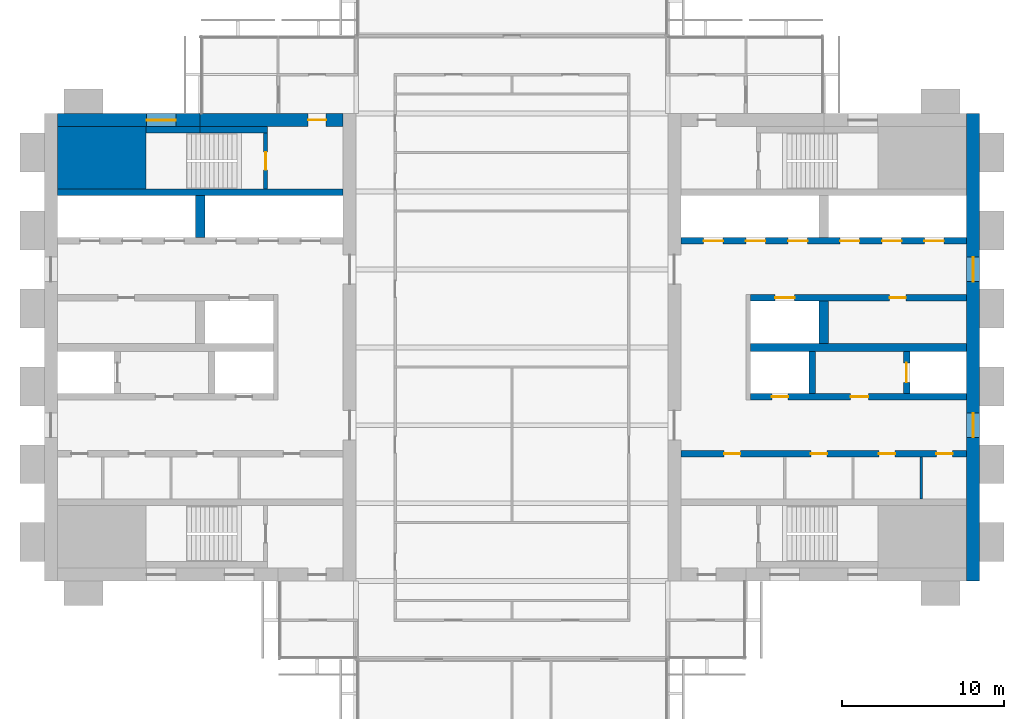
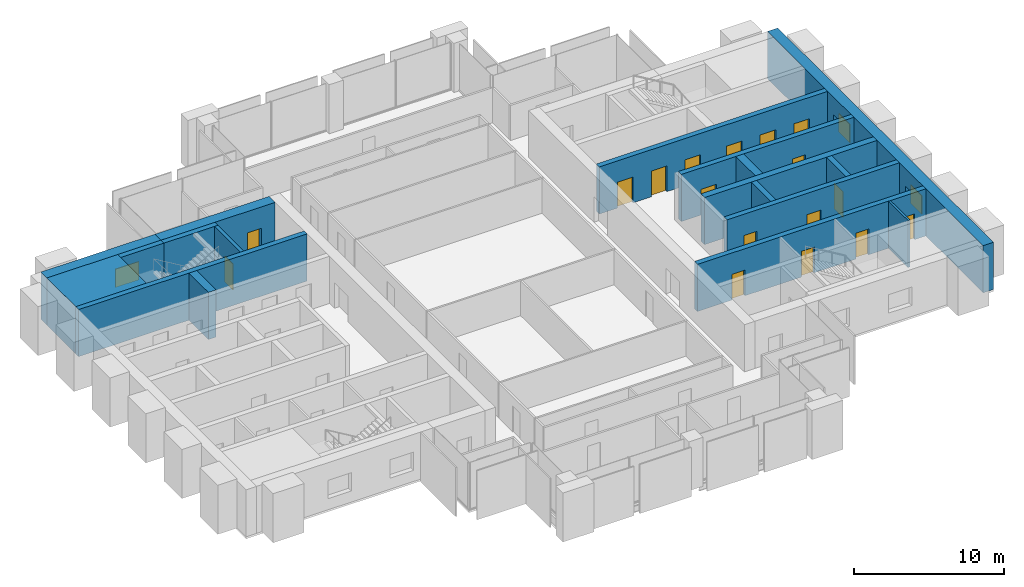
# One storey, part 10 of 13: 18 walls, 17 doors, 3 windows, 20 openings.
"""IFC4 building model written with IfcOpenShell, lengths in metres."""

from ifc_helpers import new_model, si_unit, direction, frame, frame_2d, origin, place, context, subcontext, project, spatial, rectangle, extrude, material, layer, layer_set, type_object, element, fill, save


model = new_model("IFC4")

# Units and contexts
model_context = context("Model", 3, precision=1e-05, world=origin(), true_north=direction((0.0, 1.0)))
body_context = subcontext(model_context, "Body", "Model", "MODEL_VIEW")
ifc_project = project(units=[si_unit("LENGTHUNIT", "METRE"), si_unit("AREAUNIT", "SQUARE_METRE"), si_unit("VOLUMEUNIT", "CUBIC_METRE"), si_unit("PLANEANGLEUNIT", "RADIAN"), si_unit("MASSUNIT", "GRAM", prefix="KILO")], contexts=[model_context])

# Site, building, storey
site_placement = place(None, origin())
site = spatial("IfcSite", under=ifc_project, at=site_placement, CompositionType="ELEMENT")
building_placement = place(site_placement, origin())
building = spatial("IfcBuilding", under=site, at=building_placement, Name="Baori Bourse Tower", CompositionType="ELEMENT")
storey_placement = place(building_placement, frame((0.0, 0.0, 241.199951171875)))
storey = spatial("IfcBuildingStorey", under=building, at=storey_placement, Name="L53", CompositionType="ELEMENT", Elevation=241.199951171875)

# Walls
ifc_material_1 = material(Name="Concrete f'c 50 MPa", Category="concrete")
wall_type_1 = type_object("IfcWallType", Name="Core corner block f'c 50", PredefinedType="SHEAR", material=ifc_material_1)
wall_1_placement = place(storey_placement, frame((0.800048828125, 35.675048828125, 0.0), z_axis=(0.0, 0.0, 1.0), x_axis=(1.0, 0.0, 0.0)))
element("IfcWall", 1, at=wall_1_placement, inside=storey, type_object=wall_type_1, Name="Core wall W23", PredefinedType="SHEAR", context=body_context, shape_type="SweptSolid", body=[
    extrude(rectangle(XDim=5.449951171875, YDim=3.85009765625, at=frame_2d((2.72509765625, 0.0))), origin(), (0.0, 0.0, 1.0), 3.840087890625),
])
ifc_material_2 = material(Name="Blockwork partition", Category="masonry")
ifc_layer_1 = layer(ifc_material_2, 0.14990234375)
ifc_layer_set_1 = layer_set([ifc_layer_1], Name="Core partition 150")
wall_type_2 = type_object("IfcWallType", Name="Core partition 150", PredefinedType="PARTITIONING", material=ifc_layer_set_1)
wall_2_placement = place(storey_placement, frame((54.0, 14.64990234375, 0.0), z_axis=(0.0, 0.0, 1.0), x_axis=(0.0, 1.0, 0.0)))
element("IfcWall", 2, at=wall_2_placement, inside=storey, type_object=wall_type_2, Name="Partition wall E09", PredefinedType="PARTITIONING", context=body_context, shape_type="SweptSolid", body=[
    extrude(rectangle(XDim=2.60009765625, YDim=0.14990234375, at=frame_2d((1.300048828125, 0.0))), origin(), (0.0, 0.0, 1.0), 3.840087890625),
])

# Wall, opening, window
ifc_material_3 = material(Name="Concrete f'c 50 MPa", Category="concrete")
ifc_layer_2 = layer(ifc_material_3, 0.800048828125)
ifc_layer_set_2 = layer_set([ifc_layer_2], Name="Core wall 800 f'c 50")
wall_type_3 = type_object("IfcWallType", Name="Core wall 800 f'c 50", PredefinedType="SHEAR", material=ifc_layer_set_2)
wall_3_placement = place(storey_placement, frame((0.800048828125, 38.0, 0.0), z_axis=(0.0, 0.0, 1.0), x_axis=(1.0, 0.0, 0.0)))
wall_3 = element("IfcWall", 3, at=wall_3_placement, inside=storey, type_object=wall_type_3, Name="Core wall W27", PredefinedType="SHEAR", context=body_context, shape_type="SweptSolid", body=[
    extrude(rectangle(XDim=8.800048828125, YDim=0.800048828125, at=frame_2d((4.39990234375, 0.0))), origin(), (0.0, 0.0, 1.0), 3.840087890625),
])
opening_1_placement = place(wall_3_placement, frame((5.5, 0.0, 0.89990234375)))
opening_1 = element("IfcOpeningElement", 4, at=opening_1_placement, cuts=wall_3, Name="Opening L53-KW105", PredefinedType="OPENING", context=body_context, shape_type="SweptSolid", body=[
    extrude(rectangle(XDim=1.800048828125, YDim=1.5, at=frame_2d((0.89990234375, 0.75))), frame((0.0, 0.409912109375, 0.0), z_axis=(0.0, -1.0, 0.0), x_axis=(1.0, 0.0, 0.0)), (0.0, 0.0, 1.0), 0.820068359375),
])
ifc_material_4 = material(Name="Pale anodised aluminium", Category="aluminium")
window_type_1 = type_object("IfcWindowType", Name="Stair window 1800 x 1500", PartitioningType="SINGLE_PANEL", PredefinedType="WINDOW", material=ifc_material_4)
window_1_placement = place(opening_1_placement, origin())
window_1 = element("IfcWindow", 5, at=window_1_placement, inside=storey, type_object=window_type_1, Name="Stair window W L53 5", OverallHeight=1.5, OverallWidth=1.800048828125, PartitioningType="SINGLE_PANEL", PredefinedType="WINDOW", context=body_context, shape_type="SweptSolid", body=[
    extrude(rectangle(XDim=1.800048828125, YDim=1.5, at=frame_2d((0.89990234375, 0.75))), frame((0.0, 0.030029296875, 0.0), z_axis=(0.0, -1.0, 0.0), x_axis=(1.0, 0.0, 0.0)), (0.0, 0.0, 1.0), 0.06005859375),
])
fill(opening_1, window_1)

# Wall, opening, door
wall_4_placement = place(storey_placement, frame((9.60009765625, 38.0, 0.0), z_axis=(0.0, 0.0, 1.0), x_axis=(1.0, 0.0, 0.0)))
wall_4 = element("IfcWall", 6, at=wall_4_placement, inside=storey, type_object=wall_type_3, Name="Core wall W28", PredefinedType="SHEAR", context=body_context, shape_type="SweptSolid", body=[
    extrude(rectangle(XDim=8.7998046875, YDim=0.800048828125, at=frame_2d((4.39990234375, 0.0))), origin(), (0.0, 0.0, 1.0), 3.840087890625),
])
opening_2_placement = place(wall_4_placement, frame((6.64990234375, 0.0, 0.0)))
opening_2 = element("IfcOpeningElement", 7, at=opening_2_placement, cuts=wall_4, Name="Opening L53-D104", PredefinedType="OPENING", context=body_context, shape_type="SweptSolid", body=[
    extrude(rectangle(XDim=1.10009765625, YDim=2.10009765625, at=frame_2d((0.550048828125, 1.050048828125))), frame((0.0, 0.409912109375, 0.0), z_axis=(0.0, -1.0, 0.0), x_axis=(1.0, 0.0, 0.0)), (0.0, 0.0, 1.0), 0.820068359375),
])
ifc_material_5 = material(Name="Painted steel door", Category="steel")
door_type_1 = type_object("IfcDoorType", Name="Stair door 1100", OperationType="SINGLE_SWING_LEFT", PredefinedType="DOOR", material=ifc_material_5)
door_1_placement = place(opening_2_placement, origin())
door_1 = element("IfcDoor", 8, at=door_1_placement, inside=storey, type_object=door_type_1, Name="Stair vestibule door B W L53", OperationType="SINGLE_SWING_LEFT", OverallHeight=2.10009765625, OverallWidth=1.10009765625, PredefinedType="DOOR", context=body_context, shape_type="SweptSolid", body=[
    extrude(rectangle(XDim=1.10009765625, YDim=2.10009765625, at=frame_2d((0.550048828125, 1.050048828125))), frame((0.0, 0.02490234375, 0.0), z_axis=(0.0, -1.0, 0.0), x_axis=(1.0, 0.0, 0.0)), (0.0, 0.0, 1.0), 0.050048828125),
])
fill(opening_2, door_1)

# Wall, openings, windows
wall_5_placement = place(storey_placement, frame((57.199951171875, 38.39990234375, 0.0), z_axis=(0.0, 0.0, 1.0), x_axis=(0.0, -1.0, 0.0)))
wall_5 = element("IfcWall", 9, at=wall_5_placement, inside=storey, type_object=wall_type_3, Name="Core wall E01", PredefinedType="SHEAR", context=body_context, shape_type="SweptSolid", body=[
    extrude(rectangle(XDim=28.7998046875, YDim=0.800048828125, at=frame_2d((14.39990234375, 0.0))), origin(), (0.0, 0.0, 1.0), 3.840087890625),
])
opening_3_placement = place(wall_5_placement, frame((18.449951171875, 0.0, 0.89990234375)))
opening_3 = element("IfcOpeningElement", 10, at=opening_3_placement, cuts=wall_5, Name="Opening L53-KW201", PredefinedType="OPENING", context=body_context, shape_type="SweptSolid", body=[
    extrude(rectangle(XDim=1.5, YDim=1.5, at=frame_2d((0.75, 0.75))), frame((0.0, 0.409912109375, 0.0), z_axis=(0.0, -1.0, 0.0), x_axis=(1.0, 0.0, 0.0)), (0.0, 0.0, 1.0), 0.820068359375),
])
opening_4_placement = place(wall_5_placement, frame((8.85009765625, 0.0, 0.89990234375)))
opening_4 = element("IfcOpeningElement", 11, at=opening_4_placement, cuts=wall_5, Name="Opening L53-KW202", PredefinedType="OPENING", context=body_context, shape_type="SweptSolid", body=[
    extrude(rectangle(XDim=1.5, YDim=1.5, at=frame_2d((0.75, 0.75))), frame((0.0, 0.409912109375, 0.0), z_axis=(0.0, -1.0, 0.0), x_axis=(1.0, 0.0, 0.0)), (0.0, 0.0, 1.0), 0.820068359375),
])
ifc_material_6 = material(Name="Pale anodised aluminium", Category="aluminium")
window_type_2 = type_object("IfcWindowType", Name="Lobby window 1500 x 1500", PartitioningType="SINGLE_PANEL", PredefinedType="WINDOW", material=ifc_material_6)
window_2_placement = place(opening_3_placement, origin())
window_2 = element("IfcWindow", 12, at=window_2_placement, inside=storey, type_object=window_type_2, Name="Outer wall window E L53 1", OverallHeight=1.5, OverallWidth=1.5, PartitioningType="SINGLE_PANEL", PredefinedType="WINDOW", context=body_context, shape_type="SweptSolid", body=[
    extrude(rectangle(XDim=1.5, YDim=1.5, at=frame_2d((0.75, 0.75))), frame((0.0, 0.030029296875, 0.0), z_axis=(0.0, -1.0, 0.0), x_axis=(1.0, 0.0, 0.0)), (0.0, 0.0, 1.0), 0.06005859375),
])
fill(opening_3, window_2)
window_3_placement = place(opening_4_placement, origin())
window_3 = element("IfcWindow", 13, at=window_3_placement, inside=storey, type_object=window_type_2, Name="Outer wall window E L53 2", OverallHeight=1.5, OverallWidth=1.5, PartitioningType="SINGLE_PANEL", PredefinedType="WINDOW", context=body_context, shape_type="SweptSolid", body=[
    extrude(rectangle(XDim=1.5, YDim=1.5, at=frame_2d((0.75, 0.75))), frame((0.0, 0.030029296875, 0.0), z_axis=(0.0, -1.0, 0.0), x_axis=(1.0, 0.0, 0.0)), (0.0, 0.0, 1.0), 0.06005859375),
])
fill(opening_4, window_3)

# Wall, opening, door
ifc_material_7 = material(Name="Concrete f'c 50 MPa", Category="concrete")
ifc_layer_3 = layer(ifc_material_7, 0.25)
ifc_layer_set_3 = layer_set([ifc_layer_3], Name="Shaft wall 250 f'c 50")
wall_type_4 = type_object("IfcWallType", Name="Shaft wall 250 f'c 50", PredefinedType="SHEAR", material=ifc_layer_set_3)
wall_6_placement = place(storey_placement, frame((13.625, 33.75, 0.0), z_axis=(0.0, 0.0, 1.0), x_axis=(0.0, 1.0, 0.0)))
wall_6 = element("IfcWall", 14, at=wall_6_placement, inside=storey, type_object=wall_type_4, Name="Core wall W24", PredefinedType="SHEAR", context=body_context, shape_type="SweptSolid", body=[
    extrude(rectangle(XDim=3.449951171875, YDim=0.25, at=frame_2d((1.72509765625, 0.0))), origin(), (0.0, 0.0, 1.0), 3.840087890625),
])
opening_5_placement = place(wall_6_placement, frame((1.175048828125, 0.0, 0.0)))
opening_5 = element("IfcOpeningElement", 15, at=opening_5_placement, cuts=wall_6, Name="Opening L53-D103", PredefinedType="OPENING", context=body_context, shape_type="SweptSolid", body=[
    extrude(rectangle(XDim=1.10009765625, YDim=2.10009765625, at=frame_2d((0.550048828125, 1.050048828125))), frame((0.0, 0.135009765625, 0.0), z_axis=(0.0, -1.0, 0.0), x_axis=(1.0, 0.0, 0.0)), (0.0, 0.0, 1.0), 0.27001953125),
])
door_2_placement = place(opening_5_placement, origin())
door_2 = element("IfcDoor", 16, at=door_2_placement, inside=storey, type_object=door_type_1, Name="Stair door B W L53", OperationType="SINGLE_SWING_LEFT", OverallHeight=2.10009765625, OverallWidth=1.10009765625, PredefinedType="DOOR", context=body_context, shape_type="SweptSolid", body=[
    extrude(rectangle(XDim=1.10009765625, YDim=2.10009765625, at=frame_2d((0.550048828125, 1.050048828125))), frame((0.0, 0.02490234375, 0.0), z_axis=(0.0, -1.0, 0.0), x_axis=(1.0, 0.0, 0.0)), (0.0, 0.0, 1.0), 0.050048828125),
])
fill(opening_5, door_2)

# Walls
ifc_material_8 = material(Name="Concrete f'c 50 MPa", Category="concrete")
ifc_layer_4 = layer(ifc_material_8, 0.39990234375)
ifc_layer_set_4 = layer_set([ifc_layer_4], Name="Shaft wall 400 f'c 50")
wall_type_5 = type_object("IfcWallType", Name="Shaft wall 400 f'c 50", PredefinedType="SHEAR", material=ifc_layer_set_4)
wall_7_placement = place(storey_placement, frame((0.800048828125, 33.550048828125, 0.0), z_axis=(0.0, 0.0, 1.0), x_axis=(1.0, 0.0, 0.0)))
element("IfcWall", 17, at=wall_7_placement, inside=storey, type_object=wall_type_5, Name="Core wall W22", PredefinedType="SHEAR", context=body_context, shape_type="SweptSolid", body=[
    extrude(rectangle(XDim=17.599853515625, YDim=0.39990234375, at=frame_2d((8.7998046875, 0.0))), origin(), (0.0, 0.0, 1.0), 3.840087890625),
])
wall_8_placement = place(storey_placement, frame((6.25, 37.39990234375, 0.0), z_axis=(0.0, 0.0, 1.0), x_axis=(1.0, 0.0, 0.0)))
element("IfcWall", 18, at=wall_8_placement, inside=storey, type_object=wall_type_5, Name="Core wall W25", PredefinedType="SHEAR", context=body_context, shape_type="SweptSolid", body=[
    extrude(rectangle(XDim=3.35009765625, YDim=0.39990234375, at=frame_2d((1.675048828125, 0.0))), origin(), (0.0, 0.0, 1.0), 3.840087890625),
])
wall_9_placement = place(storey_placement, frame((9.60009765625, 37.39990234375, 0.0), z_axis=(0.0, 0.0, 1.0), x_axis=(1.0, 0.0, 0.0)))
element("IfcWall", 19, at=wall_9_placement, inside=storey, type_object=wall_type_5, Name="Core wall W26", PredefinedType="SHEAR", context=body_context, shape_type="SweptSolid", body=[
    extrude(rectangle(XDim=4.14990234375, YDim=0.39990234375, at=frame_2d((2.074951171875, 0.0))), origin(), (0.0, 0.0, 1.0), 3.840087890625),
])

# Wall, openings, doors
wall_10_placement = place(storey_placement, frame((39.199951171875, 17.449951171875, 0.0), z_axis=(0.0, 0.0, 1.0), x_axis=(1.0, 0.0, 0.0)))
wall_10 = element("IfcWall", 20, at=wall_10_placement, inside=storey, type_object=wall_type_5, Name="Core wall E12", PredefinedType="SHEAR", context=body_context, shape_type="SweptSolid", body=[
    extrude(rectangle(XDim=17.60009765625, YDim=0.39990234375, at=frame_2d((8.800048828125, 0.0))), origin(), (0.0, 0.0, 1.0), 3.840087890625),
])
opening_6_placement = place(wall_10_placement, frame((15.737548828125, 0.0, 0.0)))
opening_6 = element("IfcOpeningElement", 21, at=opening_6_placement, cuts=wall_10, Name="Opening L53-D209", PredefinedType="OPENING", context=body_context, shape_type="SweptSolid", body=[
    extrude(rectangle(XDim=1.0, YDim=2.10009765625, at=frame_2d((0.5, 1.050048828125))), frame((0.0, 0.2099609375, 0.0), z_axis=(0.0, -1.0, 0.0), x_axis=(1.0, 0.0, 0.0)), (0.0, 0.0, 1.0), 0.419921875),
])
opening_7_placement = place(wall_10_placement, frame((12.199951171875, 0.0, 0.0)))
opening_7 = element("IfcOpeningElement", 22, at=opening_7_placement, cuts=wall_10, Name="Opening L53-D210", PredefinedType="OPENING", context=body_context, shape_type="SweptSolid", body=[
    extrude(rectangle(XDim=1.0, YDim=2.10009765625, at=frame_2d((0.5, 1.050048828125))), frame((0.0, 0.2099609375, 0.0), z_axis=(0.0, -1.0, 0.0), x_axis=(1.0, 0.0, 0.0)), (0.0, 0.0, 1.0), 0.419921875),
])
opening_8_placement = place(wall_10_placement, frame((8.0, 0.0, 0.0)))
opening_8 = element("IfcOpeningElement", 23, at=opening_8_placement, cuts=wall_10, Name="Opening L53-D211", PredefinedType="OPENING", context=body_context, shape_type="SweptSolid", body=[
    extrude(rectangle(XDim=1.0, YDim=2.10009765625, at=frame_2d((0.5, 1.050048828125))), frame((0.0, 0.2099609375, 0.0), z_axis=(0.0, -1.0, 0.0), x_axis=(1.0, 0.0, 0.0)), (0.0, 0.0, 1.0), 0.419921875),
])
opening_9_placement = place(wall_10_placement, frame((2.66259765625, 0.0, 0.0)))
opening_9 = element("IfcOpeningElement", 24, at=opening_9_placement, cuts=wall_10, Name="Opening L53-D212", PredefinedType="OPENING", context=body_context, shape_type="SweptSolid", body=[
    extrude(rectangle(XDim=1.0, YDim=2.10009765625, at=frame_2d((0.5, 1.050048828125))), frame((0.0, 0.2099609375, 0.0), z_axis=(0.0, -1.0, 0.0), x_axis=(1.0, 0.0, 0.0)), (0.0, 0.0, 1.0), 0.419921875),
])
ifc_material_9 = material(Name="Painted steel door", Category="steel")
door_type_2 = type_object("IfcDoorType", Name="Core door 1000", OperationType="SINGLE_SWING_LEFT", PredefinedType="DOOR", material=ifc_material_9)
door_3_placement = place(opening_7_placement, origin())
door_3 = element("IfcDoor", 25, at=door_3_placement, inside=storey, type_object=door_type_2, Name="Women'S Wc door E L53", OperationType="SINGLE_SWING_LEFT", OverallHeight=2.10009765625, OverallWidth=1.0, PredefinedType="DOOR", context=body_context, shape_type="SweptSolid", body=[
    extrude(rectangle(XDim=1.0, YDim=2.10009765625, at=frame_2d((0.5, 1.050048828125))), frame((0.0, 0.02490234375, 0.0), z_axis=(0.0, -1.0, 0.0), x_axis=(1.0, 0.0, 0.0)), (0.0, 0.0, 1.0), 0.050048828125),
])
fill(opening_7, door_3)
door_4_placement = place(opening_8_placement, origin())
door_4 = element("IfcDoor", 26, at=door_4_placement, inside=storey, type_object=door_type_2, Name="Accessible Wc door E L53", OperationType="SINGLE_SWING_LEFT", OverallHeight=2.10009765625, OverallWidth=1.0, PredefinedType="DOOR", context=body_context, shape_type="SweptSolid", body=[
    extrude(rectangle(XDim=1.0, YDim=2.10009765625, at=frame_2d((0.5, 1.050048828125))), frame((0.0, 0.02490234375, 0.0), z_axis=(0.0, -1.0, 0.0), x_axis=(1.0, 0.0, 0.0)), (0.0, 0.0, 1.0), 0.050048828125),
])
fill(opening_8, door_4)
door_5_placement = place(opening_9_placement, origin())
door_5 = element("IfcDoor", 27, at=door_5_placement, inside=storey, type_object=door_type_2, Name="Men'S Wc door E L53", OperationType="SINGLE_SWING_LEFT", OverallHeight=2.10009765625, OverallWidth=1.0, PredefinedType="DOOR", context=body_context, shape_type="SweptSolid", body=[
    extrude(rectangle(XDim=1.0, YDim=2.10009765625, at=frame_2d((0.5, 1.050048828125))), frame((0.0, 0.02490234375, 0.0), z_axis=(0.0, -1.0, 0.0), x_axis=(1.0, 0.0, 0.0)), (0.0, 0.0, 1.0), 0.050048828125),
])
fill(opening_9, door_5)
ifc_material_10 = material(Name="Painted steel door", Category="steel")
door_type_3 = type_object("IfcDoorType", Name="Plant room door 1000", OperationType="SINGLE_SWING_LEFT", PredefinedType="DOOR", material=ifc_material_10)
door_6_placement = place(opening_6_placement, origin())
door_6 = element("IfcDoor", 28, at=door_6_placement, inside=storey, type_object=door_type_3, Name="Communications Room door E L53", OperationType="SINGLE_SWING_LEFT", OverallHeight=2.10009765625, OverallWidth=1.0, PredefinedType="DOOR", context=body_context, shape_type="SweptSolid", body=[
    extrude(rectangle(XDim=1.0, YDim=2.10009765625, at=frame_2d((0.5, 1.050048828125))), frame((0.0, 0.02490234375, 0.0), z_axis=(0.0, -1.0, 0.0), x_axis=(1.0, 0.0, 0.0)), (0.0, 0.0, 1.0), 0.050048828125),
])
fill(opening_6, door_6)

wall_11_placement = place(storey_placement, frame((43.5, 20.949951171875, 0.0), z_axis=(0.0, 0.0, 1.0), x_axis=(1.0, 0.0, 0.0)))
wall_11 = element("IfcWall", 29, at=wall_11_placement, inside=storey, type_object=wall_type_5, Name="Core wall E13", PredefinedType="SHEAR", context=body_context, shape_type="SweptSolid", body=[
    extrude(rectangle(XDim=13.300048828125, YDim=0.39990234375, at=frame_2d((6.64990234375, 0.0))), origin(), (0.0, 0.0, 1.0), 3.840087890625),
])
opening_10_placement = place(wall_11_placement, frame((6.14990234375, 0.0, 0.0)))
opening_10 = element("IfcOpeningElement", 30, at=opening_10_placement, cuts=wall_11, Name="Opening L53-D205", PredefinedType="OPENING", context=body_context, shape_type="SweptSolid", body=[
    extrude(rectangle(XDim=1.10009765625, YDim=2.10009765625, at=frame_2d((0.550048828125, 1.050048828125))), frame((0.0, 0.2099609375, 0.0), z_axis=(0.0, -1.0, 0.0), x_axis=(1.0, 0.0, 0.0)), (0.0, 0.0, 1.0), 0.419921875),
])
opening_11_placement = place(wall_11_placement, frame((1.300048828125, 0.0, 0.0)))
opening_11 = element("IfcOpeningElement", 31, at=opening_11_placement, cuts=wall_11, Name="Opening L53-D206", PredefinedType="OPENING", context=body_context, shape_type="SweptSolid", body=[
    extrude(rectangle(XDim=1.0, YDim=2.10009765625, at=frame_2d((0.5, 1.050048828125))), frame((0.0, 0.2099609375, 0.0), z_axis=(0.0, -1.0, 0.0), x_axis=(1.0, 0.0, 0.0)), (0.0, 0.0, 1.0), 0.419921875),
])
ifc_material_11 = material(Name="Painted steel door", Category="steel")
door_type_4 = type_object("IfcDoorType", Name="Lobby door 1100", OperationType="SINGLE_SWING_LEFT", PredefinedType="DOOR", material=ifc_material_11)
door_7_placement = place(opening_10_placement, origin())
door_7 = element("IfcDoor", 32, at=door_7_placement, inside=storey, type_object=door_type_4, Name="Firefighting lobby door E L53", OperationType="SINGLE_SWING_LEFT", OverallHeight=2.10009765625, OverallWidth=1.10009765625, PredefinedType="DOOR", context=body_context, shape_type="SweptSolid", body=[
    extrude(rectangle(XDim=1.10009765625, YDim=2.10009765625, at=frame_2d((0.550048828125, 1.050048828125))), frame((0.0, 0.02490234375, 0.0), z_axis=(0.0, -1.0, 0.0), x_axis=(1.0, 0.0, 0.0)), (0.0, 0.0, 1.0), 0.050048828125),
])
fill(opening_10, door_7)
ifc_material_12 = material(Name="Painted steel door", Category="steel")
door_type_5 = type_object("IfcDoorType", Name="Shaft door 1000", OperationType="SINGLE_SWING_LEFT", PredefinedType="DOOR", material=ifc_material_12)
door_8_placement = place(opening_11_placement, origin())
door_8 = element("IfcDoor", 33, at=door_8_placement, inside=storey, type_object=door_type_5, Name="Riser room door E L53", OperationType="SINGLE_SWING_LEFT", OverallHeight=2.10009765625, OverallWidth=1.0, PredefinedType="DOOR", context=body_context, shape_type="SweptSolid", body=[
    extrude(rectangle(XDim=1.0, YDim=2.10009765625, at=frame_2d((0.5, 1.050048828125))), frame((0.0, 0.02490234375, 0.0), z_axis=(0.0, -1.0, 0.0), x_axis=(1.0, 0.0, 0.0)), (0.0, 0.0, 1.0), 0.050048828125),
])
fill(opening_11, door_8)

# Wall, opening, door
wall_12_placement = place(storey_placement, frame((53.10009765625, 21.14990234375, 0.0), z_axis=(0.0, 0.0, 1.0), x_axis=(0.0, 1.0, 0.0)))
wall_12 = element("IfcWall", 34, at=wall_12_placement, inside=storey, type_object=wall_type_5, Name="Core wall E15", PredefinedType="SHEAR", context=body_context, shape_type="SweptSolid", body=[
    extrude(rectangle(XDim=2.60009765625, YDim=0.39990234375, at=frame_2d((1.300048828125, 0.0))), origin(), (0.0, 0.0, 1.0), 3.840087890625),
])
opening_12_placement = place(wall_12_placement, frame((0.699951171875, 0.0, 0.0)))
opening_12 = element("IfcOpeningElement", 35, at=opening_12_placement, cuts=wall_12, Name="Opening L53-D221", PredefinedType="OPENING", context=body_context, shape_type="SweptSolid", body=[
    extrude(rectangle(XDim=1.199951171875, YDim=2.10009765625, at=frame_2d((0.60009765625, 1.050048828125))), frame((0.0, 0.2099609375, 0.0), z_axis=(0.0, -1.0, 0.0), x_axis=(1.0, 0.0, 0.0)), (0.0, 0.0, 1.0), 0.419921875),
])
ifc_material_13 = material(Name="Stainless steel door", Category="steel")
door_type_6 = type_object("IfcDoorType", Name="Lift landing door", OperationType="DOUBLE_DOOR_SLIDING", PredefinedType="DOOR", material=ifc_material_13)
door_9_placement = place(opening_12_placement, origin())
door_9 = element("IfcDoor", 36, at=door_9_placement, inside=storey, type_object=door_type_6, Name="Lift landing door FF2 E L53", OperationType="DOUBLE_DOOR_SLIDING", OverallHeight=2.10009765625, OverallWidth=1.199951171875, PredefinedType="DOOR", context=body_context, shape_type="SweptSolid", body=[
    extrude(rectangle(XDim=1.199951171875, YDim=2.10009765625, at=frame_2d((0.60009765625, 1.050048828125))), frame((0.0, 0.02490234375, 0.0), z_axis=(0.0, -1.0, 0.0), x_axis=(1.0, 0.0, 0.0)), (0.0, 0.0, 1.0), 0.050048828125),
])
fill(opening_12, door_9)

# Wall
wall_13_placement = place(storey_placement, frame((47.300048828125, 21.14990234375, 0.0), z_axis=(0.0, 0.0, 1.0), x_axis=(0.0, 1.0, 0.0)))
element("IfcWall", 37, at=wall_13_placement, inside=storey, type_object=wall_type_5, Name="Core wall E16", PredefinedType="SHEAR", context=body_context, shape_type="SweptSolid", body=[
    extrude(rectangle(XDim=2.60009765625, YDim=0.39990234375, at=frame_2d((1.300048828125, 0.0))), origin(), (0.0, 0.0, 1.0), 3.840087890625),
])

# Wall, openings, doors
wall_14_placement = place(storey_placement, frame((43.5, 27.050048828125, 0.0), z_axis=(0.0, 0.0, 1.0), x_axis=(1.0, 0.0, 0.0)))
wall_14 = element("IfcWall", 38, at=wall_14_placement, inside=storey, type_object=wall_type_5, Name="Core wall E19", PredefinedType="SHEAR", context=body_context, shape_type="SweptSolid", body=[
    extrude(rectangle(XDim=13.300048828125, YDim=0.39990234375, at=frame_2d((6.64990234375, 0.0))), origin(), (0.0, 0.0, 1.0), 3.840087890625),
])
opening_13_placement = place(wall_14_placement, frame((8.550048828125, 0.0, 0.0)))
opening_13 = element("IfcOpeningElement", 39, at=opening_13_placement, cuts=wall_14, Name="Opening L53-D213", PredefinedType="OPENING", context=body_context, shape_type="SweptSolid", body=[
    extrude(rectangle(XDim=1.0, YDim=2.10009765625, at=frame_2d((0.5, 1.050048828125))), frame((0.0, 0.2099609375, 0.0), z_axis=(0.0, -1.0, 0.0), x_axis=(1.0, 0.0, 0.0)), (0.0, 0.0, 1.0), 0.419921875),
])
opening_14_placement = place(wall_14_placement, frame((1.5, 0.0, 0.0)))
opening_14 = element("IfcOpeningElement", 40, at=opening_14_placement, cuts=wall_14, Name="Opening L53-D220", PredefinedType="OPENING", context=body_context, shape_type="SweptSolid", body=[
    extrude(rectangle(XDim=1.199951171875, YDim=2.10009765625, at=frame_2d((0.60009765625, 1.050048828125))), frame((0.0, 0.2099609375, 0.0), z_axis=(0.0, -1.0, 0.0), x_axis=(1.0, 0.0, 0.0)), (0.0, 0.0, 1.0), 0.419921875),
])
door_10_placement = place(opening_13_placement, origin())
door_10 = element("IfcDoor", 41, at=door_10_placement, inside=storey, type_object=door_type_2, Name="Recycling Room door E L53", OperationType="SINGLE_SWING_LEFT", OverallHeight=2.10009765625, OverallWidth=1.0, PredefinedType="DOOR", context=body_context, shape_type="SweptSolid", body=[
    extrude(rectangle(XDim=1.0, YDim=2.10009765625, at=frame_2d((0.5, 1.050048828125))), frame((0.0, 0.02490234375, 0.0), z_axis=(0.0, -1.0, 0.0), x_axis=(1.0, 0.0, 0.0)), (0.0, 0.0, 1.0), 0.050048828125),
])
fill(opening_13, door_10)
door_11_placement = place(opening_14_placement, origin())
door_11 = element("IfcDoor", 42, at=door_11_placement, inside=storey, type_object=door_type_6, Name="Lift landing door SV1 E L53", OperationType="DOUBLE_DOOR_SLIDING", OverallHeight=2.10009765625, OverallWidth=1.199951171875, PredefinedType="DOOR", context=body_context, shape_type="SweptSolid", body=[
    extrude(rectangle(XDim=1.199951171875, YDim=2.10009765625, at=frame_2d((0.60009765625, 1.050048828125))), frame((0.0, 0.02490234375, 0.0), z_axis=(0.0, -1.0, 0.0), x_axis=(1.0, 0.0, 0.0)), (0.0, 0.0, 1.0), 0.050048828125),
])
fill(opening_14, door_11)

wall_15_placement = place(storey_placement, frame((39.199951171875, 30.550048828125, 0.0), z_axis=(0.0, 0.0, 1.0), x_axis=(1.0, 0.0, 0.0)))
wall_15 = element("IfcWall", 43, at=wall_15_placement, inside=storey, type_object=wall_type_5, Name="Core wall E20", PredefinedType="SHEAR", context=body_context, shape_type="SweptSolid", body=[
    extrude(rectangle(XDim=17.60009765625, YDim=0.39990234375, at=frame_2d((8.800048828125, 0.0))), origin(), (0.0, 0.0, 1.0), 3.840087890625),
])
opening_15_placement = place(wall_15_placement, frame((15.0, 0.0, 0.0)))
opening_15 = element("IfcOpeningElement", 44, at=opening_15_placement, cuts=wall_15, Name="Opening L53-D214", PredefinedType="OPENING", context=body_context, shape_type="SweptSolid", body=[
    extrude(rectangle(XDim=1.199951171875, YDim=2.10009765625, at=frame_2d((0.60009765625, 1.050048828125))), frame((0.0, 0.2099609375, 0.0), z_axis=(0.0, -1.0, 0.0), x_axis=(1.0, 0.0, 0.0)), (0.0, 0.0, 1.0), 0.419921875),
])
opening_16_placement = place(wall_15_placement, frame((12.39990234375, 0.0, 0.0)))
opening_16 = element("IfcOpeningElement", 45, at=opening_16_placement, cuts=wall_15, Name="Opening L53-D215", PredefinedType="OPENING", context=body_context, shape_type="SweptSolid", body=[
    extrude(rectangle(XDim=1.199951171875, YDim=2.10009765625, at=frame_2d((0.60009765625, 1.050048828125))), frame((0.0, 0.2099609375, 0.0), z_axis=(0.0, -1.0, 0.0), x_axis=(1.0, 0.0, 0.0)), (0.0, 0.0, 1.0), 0.419921875),
])
opening_17_placement = place(wall_15_placement, frame((9.800048828125, 0.0, 0.0)))
opening_17 = element("IfcOpeningElement", 46, at=opening_17_placement, cuts=wall_15, Name="Opening L53-D216", PredefinedType="OPENING", context=body_context, shape_type="SweptSolid", body=[
    extrude(rectangle(XDim=1.199951171875, YDim=2.10009765625, at=frame_2d((0.60009765625, 1.050048828125))), frame((0.0, 0.2099609375, 0.0), z_axis=(0.0, -1.0, 0.0), x_axis=(1.0, 0.0, 0.0)), (0.0, 0.0, 1.0), 0.419921875),
])
opening_18_placement = place(wall_15_placement, frame((6.60009765625, 0.0, 0.0)))
opening_18 = element("IfcOpeningElement", 47, at=opening_18_placement, cuts=wall_15, Name="Opening L53-D217", PredefinedType="OPENING", context=body_context, shape_type="SweptSolid", body=[
    extrude(rectangle(XDim=1.199951171875, YDim=2.10009765625, at=frame_2d((0.60009765625, 1.050048828125))), frame((0.0, 0.2099609375, 0.0), z_axis=(0.0, -1.0, 0.0), x_axis=(1.0, 0.0, 0.0)), (0.0, 0.0, 1.0), 0.419921875),
])
opening_19_placement = place(wall_15_placement, frame((4.0, 0.0, 0.0)))
opening_19 = element("IfcOpeningElement", 48, at=opening_19_placement, cuts=wall_15, Name="Opening L53-D218", PredefinedType="OPENING", context=body_context, shape_type="SweptSolid", body=[
    extrude(rectangle(XDim=1.199951171875, YDim=2.10009765625, at=frame_2d((0.60009765625, 1.050048828125))), frame((0.0, 0.2099609375, 0.0), z_axis=(0.0, -1.0, 0.0), x_axis=(1.0, 0.0, 0.0)), (0.0, 0.0, 1.0), 0.419921875),
])
opening_20_placement = place(wall_15_placement, frame((1.39990234375, 0.0, 0.0)))
opening_20 = element("IfcOpeningElement", 49, at=opening_20_placement, cuts=wall_15, Name="Opening L53-D219", PredefinedType="OPENING", context=body_context, shape_type="SweptSolid", body=[
    extrude(rectangle(XDim=1.199951171875, YDim=2.10009765625, at=frame_2d((0.60009765625, 1.050048828125))), frame((0.0, 0.2099609375, 0.0), z_axis=(0.0, -1.0, 0.0), x_axis=(1.0, 0.0, 0.0)), (0.0, 0.0, 1.0), 0.419921875),
])
door_12_placement = place(opening_15_placement, origin())
door_12 = element("IfcDoor", 50, at=door_12_placement, inside=storey, type_object=door_type_6, Name="Lift landing door HR1 E L53", OperationType="DOUBLE_DOOR_SLIDING", OverallHeight=2.10009765625, OverallWidth=1.199951171875, PredefinedType="DOOR", context=body_context, shape_type="SweptSolid", body=[
    extrude(rectangle(XDim=1.199951171875, YDim=2.10009765625, at=frame_2d((0.60009765625, 1.050048828125))), frame((0.0, 0.02490234375, 0.0), z_axis=(0.0, -1.0, 0.0), x_axis=(1.0, 0.0, 0.0)), (0.0, 0.0, 1.0), 0.050048828125),
])
fill(opening_15, door_12)
door_13_placement = place(opening_16_placement, origin())
door_13 = element("IfcDoor", 51, at=door_13_placement, inside=storey, type_object=door_type_6, Name="Lift landing door HR2 E L53", OperationType="DOUBLE_DOOR_SLIDING", OverallHeight=2.10009765625, OverallWidth=1.199951171875, PredefinedType="DOOR", context=body_context, shape_type="SweptSolid", body=[
    extrude(rectangle(XDim=1.199951171875, YDim=2.10009765625, at=frame_2d((0.60009765625, 1.050048828125))), frame((0.0, 0.02490234375, 0.0), z_axis=(0.0, -1.0, 0.0), x_axis=(1.0, 0.0, 0.0)), (0.0, 0.0, 1.0), 0.050048828125),
])
fill(opening_16, door_13)
door_14_placement = place(opening_17_placement, origin())
door_14 = element("IfcDoor", 52, at=door_14_placement, inside=storey, type_object=door_type_6, Name="Lift landing door HR3 E L53", OperationType="DOUBLE_DOOR_SLIDING", OverallHeight=2.10009765625, OverallWidth=1.199951171875, PredefinedType="DOOR", context=body_context, shape_type="SweptSolid", body=[
    extrude(rectangle(XDim=1.199951171875, YDim=2.10009765625, at=frame_2d((0.60009765625, 1.050048828125))), frame((0.0, 0.02490234375, 0.0), z_axis=(0.0, -1.0, 0.0), x_axis=(1.0, 0.0, 0.0)), (0.0, 0.0, 1.0), 0.050048828125),
])
fill(opening_17, door_14)
door_15_placement = place(opening_18_placement, origin())
door_15 = element("IfcDoor", 53, at=door_15_placement, inside=storey, type_object=door_type_6, Name="Lift landing door HR4 E L53", OperationType="DOUBLE_DOOR_SLIDING", OverallHeight=2.10009765625, OverallWidth=1.199951171875, PredefinedType="DOOR", context=body_context, shape_type="SweptSolid", body=[
    extrude(rectangle(XDim=1.199951171875, YDim=2.10009765625, at=frame_2d((0.60009765625, 1.050048828125))), frame((0.0, 0.02490234375, 0.0), z_axis=(0.0, -1.0, 0.0), x_axis=(1.0, 0.0, 0.0)), (0.0, 0.0, 1.0), 0.050048828125),
])
fill(opening_18, door_15)
door_16_placement = place(opening_19_placement, origin())
door_16 = element("IfcDoor", 54, at=door_16_placement, inside=storey, type_object=door_type_6, Name="Lift landing door HR5 E L53", OperationType="DOUBLE_DOOR_SLIDING", OverallHeight=2.10009765625, OverallWidth=1.199951171875, PredefinedType="DOOR", context=body_context, shape_type="SweptSolid", body=[
    extrude(rectangle(XDim=1.199951171875, YDim=2.10009765625, at=frame_2d((0.60009765625, 1.050048828125))), frame((0.0, 0.02490234375, 0.0), z_axis=(0.0, -1.0, 0.0), x_axis=(1.0, 0.0, 0.0)), (0.0, 0.0, 1.0), 0.050048828125),
])
fill(opening_19, door_16)
door_17_placement = place(opening_20_placement, origin())
door_17 = element("IfcDoor", 55, at=door_17_placement, inside=storey, type_object=door_type_6, Name="Lift landing door HR6 E L53", OperationType="DOUBLE_DOOR_SLIDING", OverallHeight=2.10009765625, OverallWidth=1.199951171875, PredefinedType="DOOR", context=body_context, shape_type="SweptSolid", body=[
    extrude(rectangle(XDim=1.199951171875, YDim=2.10009765625, at=frame_2d((0.60009765625, 1.050048828125))), frame((0.0, 0.02490234375, 0.0), z_axis=(0.0, -1.0, 0.0), x_axis=(1.0, 0.0, 0.0)), (0.0, 0.0, 1.0), 0.050048828125),
])
fill(opening_20, door_17)

# Walls
ifc_material_14 = material(Name="Concrete f'c 50 MPa", Category="concrete")
ifc_layer_5 = layer(ifc_material_14, 0.5)
ifc_layer_set_5 = layer_set([ifc_layer_5], Name="Shaft wall 500 f'c 50")
wall_type_6 = type_object("IfcWallType", Name="Shaft wall 500 f'c 50", PredefinedType="SHEAR", material=ifc_layer_set_5)
wall_16_placement = place(storey_placement, frame((43.5, 24.0, 0.0), z_axis=(0.0, 0.0, 1.0), x_axis=(1.0, 0.0, 0.0)))
element("IfcWall", 56, at=wall_16_placement, inside=storey, type_object=wall_type_6, Name="Core wall E17", PredefinedType="SHEAR", context=body_context, shape_type="SweptSolid", body=[
    extrude(rectangle(XDim=13.300048828125, YDim=0.5, at=frame_2d((6.64990234375, 0.0))), origin(), (0.0, 0.0, 1.0), 3.840087890625),
])
ifc_material_15 = material(Name="Concrete f'c 50 MPa", Category="concrete")
ifc_layer_6 = layer(ifc_material_15, 0.60009765625)
ifc_layer_set_6 = layer_set([ifc_layer_6], Name="Shaft wall 600 f'c 50")
wall_type_7 = type_object("IfcWallType", Name="Shaft wall 600 f'c 50", PredefinedType="SHEAR", material=ifc_layer_set_6)
for number, where, z_axis, x_axis, name in (
    (57, (9.60009765625, 30.75, 0.0), (0.0, 0.0, 1.0), (0.0, 1.0, 0.0), "Core wall W21"),
    (58, (48.0, 24.25, 0.0), (0.0, 0.0, 1.0), (0.0, 1.0, 0.0), "Core wall E18"),
):
    element("IfcWall", number, at=place(storey_placement, frame(where, z_axis=z_axis, x_axis=x_axis)), inside=storey, type_object=wall_type_7, Name=name, PredefinedType="SHEAR", context=body_context, shape_type="SweptSolid", body=[
        extrude(rectangle(XDim=2.60009765625, YDim=0.60009765625, at=frame_2d((1.300048828125, 0.0))), origin(), (0.0, 0.0, 1.0), 3.840087890625),
    ])

save(model, "model.ifc")
